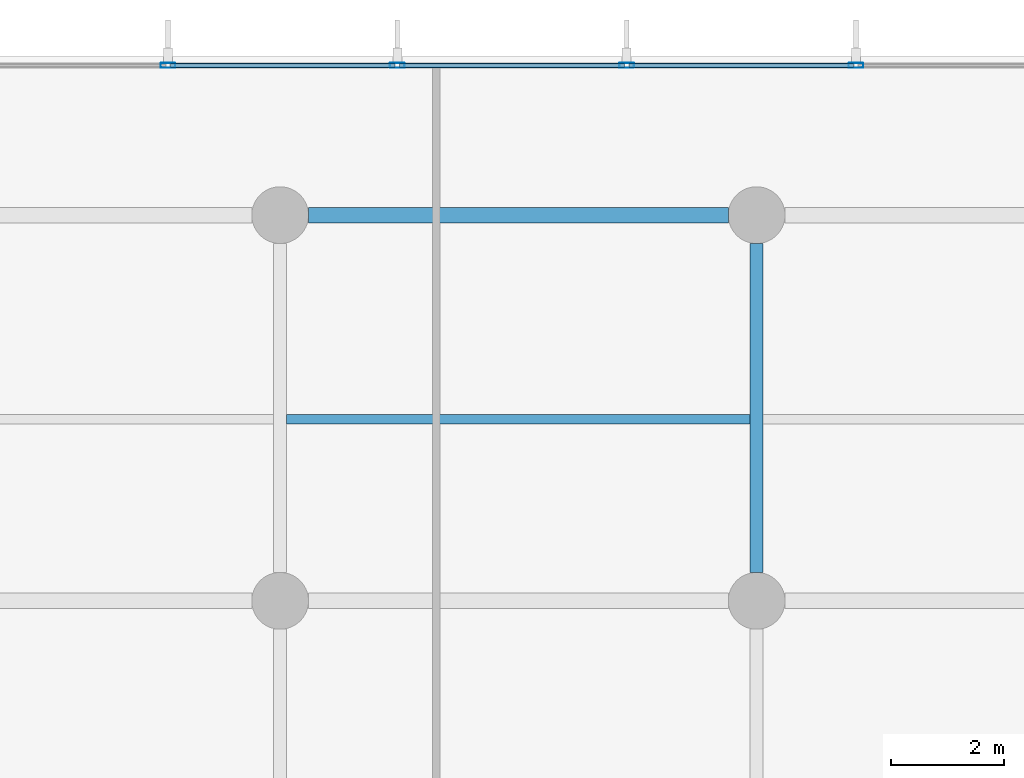
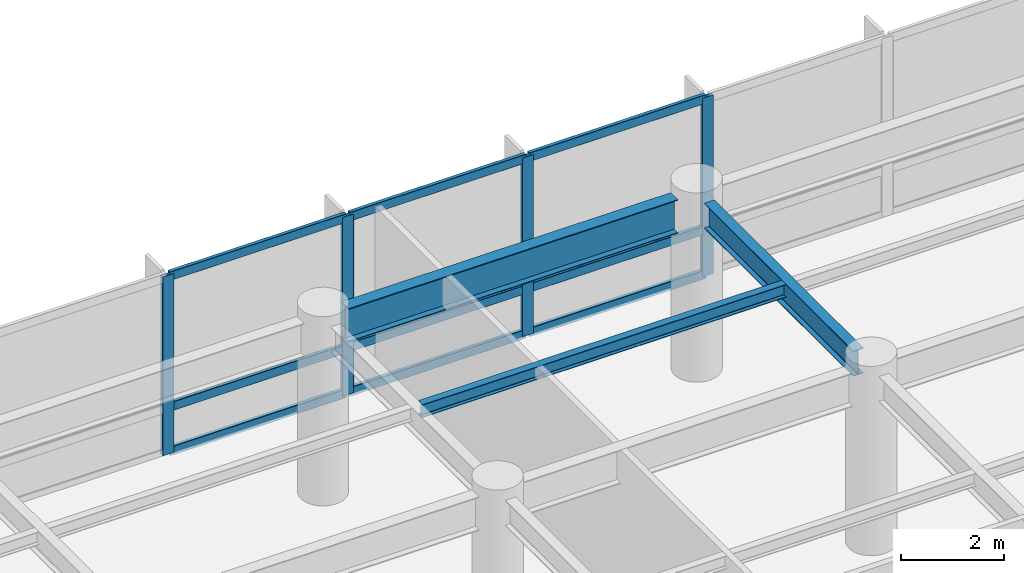
# One storey, part 11 of 26: 13 members, 3 beams, 1 element without a shape of its own.
"""IFC4 building model written with IfcOpenShell, lengths in metres."""

from ifc_helpers import new_model, si_unit, direction, frame, origin, origin_2d, place, context, subcontext, project, spatial, hollow_rectangle, i_section, extrude, material, layer, layer_set, material_profile, profile_set, type_object, element, aggregate, save


model = new_model("IFC4")

# Units and contexts
model_context = context("Model", 3, precision=1e-05, world=origin(), true_north=direction((0.0, 1.0)))
body_context = subcontext(model_context, "Body", "Model", "MODEL_VIEW")
ifc_project = project(units=[si_unit("LENGTHUNIT", "METRE"), si_unit("AREAUNIT", "SQUARE_METRE"), si_unit("VOLUMEUNIT", "CUBIC_METRE"), si_unit("PLANEANGLEUNIT", "RADIAN"), si_unit("MASSUNIT", "GRAM", prefix="KILO")], contexts=[model_context])

# Site, building, storey
site_placement = place(None, origin())
site = spatial("IfcSite", under=ifc_project, at=site_placement, CompositionType="ELEMENT")
building_placement = place(site_placement, origin())
building = spatial("IfcBuilding", under=site, at=building_placement, Name="Varnakote Quay Hospital", CompositionType="ELEMENT")
storey_placement = place(building_placement, frame((0.0, 0.0, 4.5)))
storey = spatial("IfcBuildingStorey", under=building, at=storey_placement, Name="L01", CompositionType="ELEMENT", Elevation=4.5)

# Beams
ifc_material_1 = material(Name="Structural steel AS/NZS 3679.1 Grade 350 L0 (fy 340 MPa)", Category="steel")
ifc_material_profile_1 = material_profile(ifc_material_1, i_section(OverallWidth=0.22802734375, OverallDepth=0.60205078125, WebThickness=0.010498046875, FlangeThickness=0.014892578125, FilletRadius=0.013916015625, at=origin_2d()), Name="610UB101")
ifc_profile_set_1 = profile_set([ifc_material_profile_1], Name="Structural steel AS/NZS 3679.1 Grade 350 L0 (fy 340 MPa)")
beam_type_1 = type_object("IfcBeamType", Name="BM-STL-610UB101", PredefinedType="BEAM", material=ifc_profile_set_1)
beam_1_placement = place(storey_placement, frame((75.60009765625, 37.699951171875, 3.948974609375), z_axis=(0.0, 1.0, 0.0), x_axis=(-1.0, 0.0, 0.0)))
element("IfcBeam", 1, at=beam_1_placement, inside=storey, type_object=beam_type_1, Name="L01 Primary Tie Beam", PredefinedType="BEAM", context=body_context, shape_type="SweptSolid", body=[
    extrude(i_section(OverallWidth=0.22802734375, OverallDepth=0.60205078125, WebThickness=0.010498046875, FlangeThickness=0.014892578125, FilletRadius=0.013916015625, at=origin_2d()), origin(), (0.0, 0.0, 1.0), 5.800048828125),
])
ifc_material_2 = material(Name="Structural steel AS/NZS 3678 Grade 350 (fy 340 MPa)", Category="steel")
ifc_material_profile_2 = material_profile(ifc_material_2, i_section(OverallWidth=0.27490234375, OverallDepth=0.800048828125, WebThickness=0.010009765625, FlangeThickness=0.02001953125, at=origin_2d()), Name="800WB146")
ifc_profile_set_2 = profile_set([ifc_material_profile_2], Name="Structural steel AS/NZS 3678 Grade 350 (fy 340 MPa)")
beam_type_2 = type_object("IfcBeamType", Name="BM-STL-800WB146", PredefinedType="BEAM", material=ifc_profile_set_2)
beam_2_placement = place(storey_placement, frame((67.699951171875, 44.0, 3.85009765625), z_axis=(1.0, 0.0, 0.0), x_axis=(0.0, 1.0, 0.0)))
element("IfcBeam", 2, at=beam_2_placement, inside=storey, type_object=beam_type_2, Name="L01 Primary Floor Beam", PredefinedType="BEAM", context=body_context, shape_type="SweptSolid", body=[
    extrude(i_section(OverallWidth=0.27490234375, OverallDepth=0.800048828125, WebThickness=0.010009765625, FlangeThickness=0.02001953125, at=origin_2d()), origin(), (0.0, 0.0, 1.0), 7.400146484375),
])

# Curtain wall, members
ifc_material_3 = material(Name="Anodised aluminium 6063-T6 Bronze", Category="aluminium")
ifc_layer = layer(ifc_material_3, 0.175048828125)
ifc_layer_set = layer_set([ifc_layer], Name="Anodised aluminium 6063-T6 Bronze")
curtain_wall_type = type_object("IfcCurtainWallType", Name="CW-SYS-1", PredefinedType="NOTDEFINED", material=ifc_layer_set)
curtain_wall_placement = place(storey_placement, origin())
curtain_wall = element("IfcCurtainWall", 3, at=curtain_wall_placement, inside=storey, type_object=curtain_wall_type, Name="L01 Unitised Bronze Curtain Wall 2", PredefinedType="NOTDEFINED")
ifc_material_4 = material(Name="Anodised aluminium 6063-T6 Bronze", Category="aluminium")
ifc_material_profile_3 = material_profile(ifc_material_4, hollow_rectangle(XDim=0.0849609375, YDim=0.260009765625, WallThickness=0.0048828125, InnerFilletRadius=0.0048828125, OuterFilletRadius=0.010009765625, at=origin_2d()), Name="CW-MULL-260x85")
ifc_profile_set_3 = profile_set([ifc_material_profile_3], Name="Anodised aluminium 6063-T6 Bronze")
member_type_1 = type_object("IfcMemberType", Name="CW-MULL-260x85", PredefinedType="MULLION", material=ifc_profile_set_3)
member_1_placement = place(storey_placement, frame((77.35302734375, 46.639892578125, 0.0), z_axis=(0.0, 0.0, 1.0), x_axis=(0.0, -1.0, 0.0)))
member_1 = element("IfcMember", 4, at=member_1_placement, type_object=member_type_1, Name="-1-L01-2 mullion 3", PredefinedType="MULLION", context=body_context, shape_type="SweptSolid", body=[
    extrude(hollow_rectangle(XDim=0.0849609375, YDim=0.260009765625, WallThickness=0.0048828125, InnerFilletRadius=0.0048828125, OuterFilletRadius=0.010009765625, at=origin_2d()), origin(), (0.0, 0.0, 1.0), 4.25),
])
member_2_placement = place(storey_placement, frame((73.3095703125, 46.639892578125, 0.0), z_axis=(0.0, 0.0, 1.0), x_axis=(0.0, -1.0, 0.0)))
member_2 = element("IfcMember", 5, at=member_2_placement, type_object=member_type_1, Name="-1-L01-2 mullion 4", PredefinedType="MULLION", context=body_context, shape_type="SweptSolid", body=[
    extrude(hollow_rectangle(XDim=0.0849609375, YDim=0.260009765625, WallThickness=0.0048828125, InnerFilletRadius=0.0048828125, OuterFilletRadius=0.010009765625, at=origin_2d()), origin(), (0.0, 0.0, 1.0), 4.25),
])
member_3_placement = place(storey_placement, frame((69.265869140625, 46.639892578125, 0.0), z_axis=(0.0, 0.0, 1.0), x_axis=(0.0, -1.0, 0.0)))
member_3 = element("IfcMember", 6, at=member_3_placement, type_object=member_type_1, Name="-1-L01-2 mullion 5", PredefinedType="MULLION", context=body_context, shape_type="SweptSolid", body=[
    extrude(hollow_rectangle(XDim=0.0849609375, YDim=0.260009765625, WallThickness=0.0048828125, InnerFilletRadius=0.0048828125, OuterFilletRadius=0.010009765625, at=origin_2d()), origin(), (0.0, 0.0, 1.0), 4.25),
])
member_4_placement = place(storey_placement, frame((65.222412109375, 46.639892578125, 0.0), z_axis=(0.0, 0.0, 1.0), x_axis=(0.0, -1.0, 0.0)))
member_4 = element("IfcMember", 7, at=member_4_placement, type_object=member_type_1, Name="-1-L01-2 mullion 6", PredefinedType="MULLION", context=body_context, shape_type="SweptSolid", body=[
    extrude(hollow_rectangle(XDim=0.0849609375, YDim=0.260009765625, WallThickness=0.0048828125, InnerFilletRadius=0.0048828125, OuterFilletRadius=0.010009765625, at=origin_2d()), origin(), (0.0, 0.0, 1.0), 4.25),
])
ifc_material_5 = material(Name="Anodised aluminium 6063-T6 Bronze", Category="aluminium")
ifc_material_profile_4 = material_profile(ifc_material_5, hollow_rectangle(XDim=0.0849609375, YDim=0.2099609375, WallThickness=0.00439453125, InnerFilletRadius=0.00439453125, OuterFilletRadius=0.009033203125, at=origin_2d()), Name="CW-TRAN-210x85")
ifc_profile_set_4 = profile_set([ifc_material_profile_4], Name="Anodised aluminium 6063-T6 Bronze")
member_type_2 = type_object("IfcMemberType", Name="CW-TRAN-210x85", PredefinedType="USERDEFINED", material=ifc_profile_set_4)
member_5_placement = place(storey_placement, frame((77.310546875, 46.639892578125, 0.04248046875), z_axis=(-1.0, 0.0, 0.0), x_axis=(0.0, -1.0, 0.0)))
member_5 = element("IfcMember", 8, at=member_5_placement, type_object=member_type_2, Name="-1-L01-2 transom 3.1", ObjectType="TRANSOM", PredefinedType="USERDEFINED", context=body_context, shape_type="SweptSolid", body=[
    extrude(hollow_rectangle(XDim=0.0849609375, YDim=0.2099609375, WallThickness=0.00439453125, InnerFilletRadius=0.00439453125, OuterFilletRadius=0.009033203125, at=origin_2d()), origin(), (0.0, 0.0, 1.0), 3.95849609375),
])
member_6_placement = place(storey_placement, frame((77.310546875, 46.639892578125, 1.10009765625), z_axis=(-1.0, 0.0, 0.0), x_axis=(0.0, -1.0, 0.0)))
member_6 = element("IfcMember", 9, at=member_6_placement, type_object=member_type_2, Name="-1-L01-2 transom 3.2", ObjectType="TRANSOM", PredefinedType="USERDEFINED", context=body_context, shape_type="SweptSolid", body=[
    extrude(hollow_rectangle(XDim=0.0849609375, YDim=0.2099609375, WallThickness=0.00439453125, InnerFilletRadius=0.00439453125, OuterFilletRadius=0.009033203125, at=origin_2d()), origin(), (0.0, 0.0, 1.0), 3.95849609375),
])
member_7_placement = place(storey_placement, frame((77.310546875, 46.639892578125, 4.20751953125), z_axis=(-1.0, 0.0, 0.0), x_axis=(0.0, -1.0, 0.0)))
member_7 = element("IfcMember", 10, at=member_7_placement, type_object=member_type_2, Name="-1-L01-2 transom 3.3", ObjectType="TRANSOM", PredefinedType="USERDEFINED", context=body_context, shape_type="SweptSolid", body=[
    extrude(hollow_rectangle(XDim=0.0849609375, YDim=0.2099609375, WallThickness=0.00439453125, InnerFilletRadius=0.00439453125, OuterFilletRadius=0.009033203125, at=origin_2d()), origin(), (0.0, 0.0, 1.0), 3.95849609375),
])
member_8_placement = place(storey_placement, frame((73.266845703125, 46.639892578125, 0.04248046875), z_axis=(-1.0, 0.0, 0.0), x_axis=(0.0, -1.0, 0.0)))
member_8 = element("IfcMember", 11, at=member_8_placement, type_object=member_type_2, Name="-1-L01-2 transom 4.1", ObjectType="TRANSOM", PredefinedType="USERDEFINED", context=body_context, shape_type="SweptSolid", body=[
    extrude(hollow_rectangle(XDim=0.0849609375, YDim=0.2099609375, WallThickness=0.00439453125, InnerFilletRadius=0.00439453125, OuterFilletRadius=0.009033203125, at=origin_2d()), origin(), (0.0, 0.0, 1.0), 3.95849609375),
])
member_9_placement = place(storey_placement, frame((73.266845703125, 46.639892578125, 1.10009765625), z_axis=(-1.0, 0.0, 0.0), x_axis=(0.0, -1.0, 0.0)))
member_9 = element("IfcMember", 12, at=member_9_placement, type_object=member_type_2, Name="-1-L01-2 transom 4.2", ObjectType="TRANSOM", PredefinedType="USERDEFINED", context=body_context, shape_type="SweptSolid", body=[
    extrude(hollow_rectangle(XDim=0.0849609375, YDim=0.2099609375, WallThickness=0.00439453125, InnerFilletRadius=0.00439453125, OuterFilletRadius=0.009033203125, at=origin_2d()), origin(), (0.0, 0.0, 1.0), 3.95849609375),
])
member_10_placement = place(storey_placement, frame((73.266845703125, 46.639892578125, 4.20751953125), z_axis=(-1.0, 0.0, 0.0), x_axis=(0.0, -1.0, 0.0)))
member_10 = element("IfcMember", 13, at=member_10_placement, type_object=member_type_2, Name="-1-L01-2 transom 4.3", ObjectType="TRANSOM", PredefinedType="USERDEFINED", context=body_context, shape_type="SweptSolid", body=[
    extrude(hollow_rectangle(XDim=0.0849609375, YDim=0.2099609375, WallThickness=0.00439453125, InnerFilletRadius=0.00439453125, OuterFilletRadius=0.009033203125, at=origin_2d()), origin(), (0.0, 0.0, 1.0), 3.95849609375),
])
member_11_placement = place(storey_placement, frame((69.223388671875, 46.639892578125, 0.04248046875), z_axis=(-1.0, 0.0, 0.0), x_axis=(0.0, -1.0, 0.0)))
member_11 = element("IfcMember", 14, at=member_11_placement, type_object=member_type_2, Name="-1-L01-2 transom 5.1", ObjectType="TRANSOM", PredefinedType="USERDEFINED", context=body_context, shape_type="SweptSolid", body=[
    extrude(hollow_rectangle(XDim=0.0849609375, YDim=0.2099609375, WallThickness=0.00439453125, InnerFilletRadius=0.00439453125, OuterFilletRadius=0.009033203125, at=origin_2d()), origin(), (0.0, 0.0, 1.0), 3.95849609375),
])
member_12_placement = place(storey_placement, frame((69.223388671875, 46.639892578125, 1.10009765625), z_axis=(-1.0, 0.0, 0.0), x_axis=(0.0, -1.0, 0.0)))
member_12 = element("IfcMember", 15, at=member_12_placement, type_object=member_type_2, Name="-1-L01-2 transom 5.2", ObjectType="TRANSOM", PredefinedType="USERDEFINED", context=body_context, shape_type="SweptSolid", body=[
    extrude(hollow_rectangle(XDim=0.0849609375, YDim=0.2099609375, WallThickness=0.00439453125, InnerFilletRadius=0.00439453125, OuterFilletRadius=0.009033203125, at=origin_2d()), origin(), (0.0, 0.0, 1.0), 3.95849609375),
])
member_13_placement = place(storey_placement, frame((69.223388671875, 46.639892578125, 4.20751953125), z_axis=(-1.0, 0.0, 0.0), x_axis=(0.0, -1.0, 0.0)))
member_13 = element("IfcMember", 16, at=member_13_placement, type_object=member_type_2, Name="-1-L01-2 transom 5.3", ObjectType="TRANSOM", PredefinedType="USERDEFINED", context=body_context, shape_type="SweptSolid", body=[
    extrude(hollow_rectangle(XDim=0.0849609375, YDim=0.2099609375, WallThickness=0.00439453125, InnerFilletRadius=0.00439453125, OuterFilletRadius=0.009033203125, at=origin_2d()), origin(), (0.0, 0.0, 1.0), 3.95849609375),
])
aggregate(curtain_wall, [member_1, member_2, member_3, member_4, member_5, member_6, member_7, member_8, member_9, member_10, member_11, member_12, member_13])

# Beam
ifc_material_6 = material(Name="Structural steel AS/NZS 3679.1 Grade 350 L0 (fy 340 MPa)", Category="steel")
ifc_material_profile_5 = material_profile(ifc_material_6, i_section(OverallWidth=0.166015625, OverallDepth=0.306884765625, WebThickness=0.006591796875, FlangeThickness=0.01171875, FilletRadius=0.011474609375, at=origin_2d()), Name="310UB46.2")
ifc_profile_set_5 = profile_set([ifc_material_profile_5], Name="Structural steel AS/NZS 3679.1 Grade 350 L0 (fy 340 MPa)")
beam_type_3 = type_object("IfcBeamType", Name="JST-STL-310UB46-2", PredefinedType="JOIST", material=ifc_profile_set_5)
beam_3_placement = place(storey_placement, frame((67.31396484375, 40.39990234375, 4.096435546875), z_axis=(1.0, 0.0, 0.0), x_axis=(0.0, 1.0, 0.0)))
element("IfcBeam", 17, at=beam_3_placement, inside=storey, type_object=beam_type_3, Name="L01 Composite Floor Joist", PredefinedType="JOIST", context=body_context, shape_type="SweptSolid", body=[
    extrude(i_section(OverallWidth=0.166015625, OverallDepth=0.306884765625, WebThickness=0.006591796875, FlangeThickness=0.01171875, FilletRadius=0.011474609375, at=origin_2d()), origin(), (0.0, 0.0, 1.0), 8.172119140625),
])

save(model, "model.ifc")
